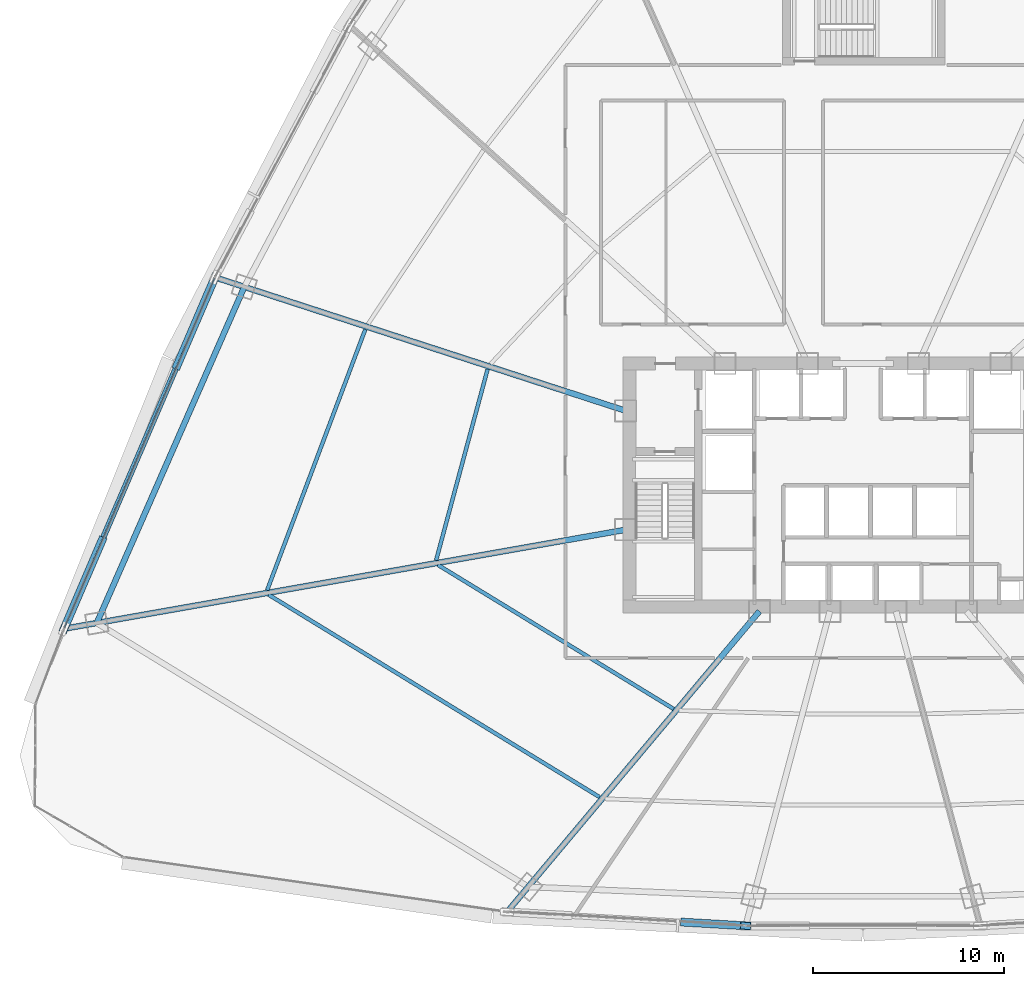
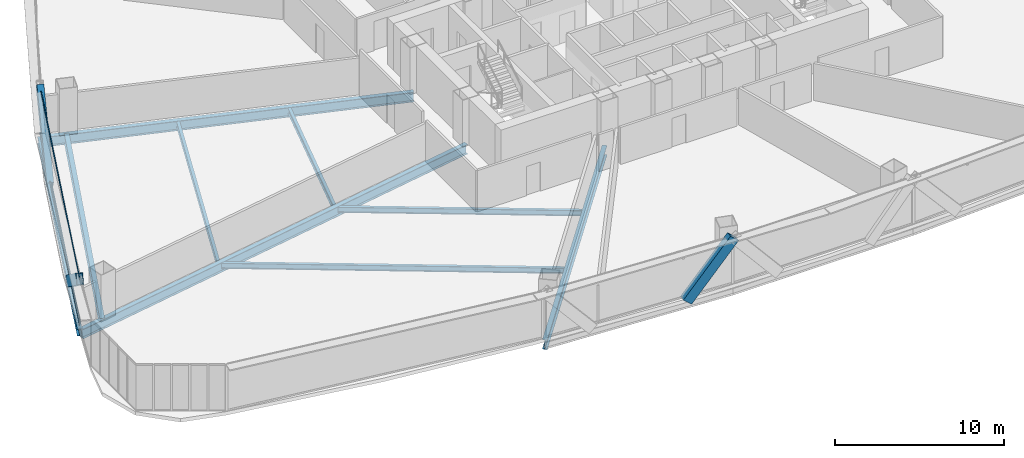
# One storey, part 7 of 42: 9 beams, 5 members, 1 element without a shape of its own.
"""IFC4 building model written with IfcOpenShell, lengths in metres."""

from ifc_helpers import new_model, si_unit, direction, frame, origin, origin_2d, place, context, subcontext, project, spatial, hollow_rectangle, i_section, extrude, source, transform, mapped, material, layer, layer_set, material_profile, profile_set, type_object, element, aggregate, save


model = new_model("IFC4")

# Units and contexts
model_context = context("Model", 3, precision=1e-05, world=origin(), true_north=direction((0.0, 1.0)))
body_context = subcontext(model_context, "Body", "Model", "MODEL_VIEW")
ifc_project = project(units=[si_unit("LENGTHUNIT", "METRE"), si_unit("AREAUNIT", "SQUARE_METRE"), si_unit("VOLUMEUNIT", "CUBIC_METRE"), si_unit("PLANEANGLEUNIT", "RADIAN"), si_unit("MASSUNIT", "GRAM", prefix="KILO"), si_unit("THERMODYNAMICTEMPERATUREUNIT", "KELVIN"), si_unit("POWERUNIT", "WATT")], contexts=[model_context])

# Site, building, storey
site_placement = place(None, origin())
site = spatial("IfcSite", under=ifc_project, at=site_placement, CompositionType="ELEMENT")
building_placement = place(site_placement, origin())
building = spatial("IfcBuilding", under=site, at=building_placement, Name="Yunzhuo Pagoda Commons", CompositionType="ELEMENT")
storey_placement = place(building_placement, frame((0.0, 0.0, 44.919921875)))
storey = spatial("IfcBuildingStorey", under=building, at=storey_placement, Name="L11", CompositionType="ELEMENT", Elevation=44.919921875)

# Beams
ifc_material_1 = material(Name="Structural steel Q355B", Category="steel")
ifc_material_profile_1 = material_profile(ifc_material_1, i_section(OverallWidth=0.300048828125, OverallDepth=0.699951171875, WebThickness=0.012939453125, FlangeThickness=0.02392578125, at=origin_2d()), Name="Structural steel Q355B")
ifc_profile_set_1 = profile_set([ifc_material_profile_1], Name="Structural steel Q355B")
beam_type_1 = type_object("IfcBeamType", Name="B-RG1 Beam HN 700x300x13x24", PredefinedType="BEAM", material=ifc_profile_set_1)
shared_shape_1 = source(origin(), body_context, "Body", "SweptSolid", [
    extrude(i_section(OverallWidth=0.300048828125, OverallDepth=0.699951171875, WebThickness=0.012939453125, FlangeThickness=0.02392578125, at=origin_2d()), origin(), (0.0, 0.0, 1.0), 19.18603515625),
])
beam_1_placement = place(storey_placement, frame((15.66455078125, 44.206298828125, -0.60986328125), z_axis=(-0.40196534204, -0.915654882474, 0.0), x_axis=(0.915654882474, -0.40196534204, 0.0)))
element("IfcBeam", 1, at=beam_1_placement, inside=storey, type_object=beam_type_1, Name="L11 column-ring beam 11", PredefinedType="BEAM", context=body_context, shape_type="MappedRepresentation", body=[
    mapped(shared_shape_1, transform((0.0, 0.0, 0.0), scale=1.0)),
])
ifc_material_profile_2 = material_profile(ifc_material_1, i_section(OverallWidth=0.199951171875, OverallDepth=0.39990234375, WebThickness=0.008056640625, FlangeThickness=0.012939453125, at=origin_2d()), Name="Structural steel Q355B")
ifc_profile_set_2 = profile_set([ifc_material_profile_2], Name="Structural steel Q355B")
beam_type_2 = type_object("IfcBeamType", Name="B-JS1 Joist HN 400x200x8x13", PredefinedType="JOIST", material=ifc_profile_set_2)
shared_shape_2 = source(origin(), body_context, "Body", "SweptSolid", [
    extrude(i_section(OverallWidth=0.199951171875, OverallDepth=0.39990234375, WebThickness=0.008056640625, FlangeThickness=0.012939453125, at=origin_2d()), origin(), (0.0, 0.0, 1.0), 14.4365234375),
])
beam_2_placement = place(storey_placement, frame((25.782470703125, 29.675537109375, -0.4599609375), z_axis=(0.85325633277, -0.521491735876, 0.0), x_axis=(0.521491735876, 0.85325633277, 0.0)))
element("IfcBeam", 2, at=beam_2_placement, inside=storey, type_object=beam_type_2, Name="L11 composite ring joist 1.12", PredefinedType="JOIST", context=body_context, shape_type="MappedRepresentation", body=[
    mapped(shared_shape_2, transform((0.0, 0.0, 0.0), scale=1.0)),
])
shared_shape_3 = source(origin(), body_context, "Body", "SweptSolid", [
    extrude(i_section(OverallWidth=0.199951171875, OverallDepth=0.39990234375, WebThickness=0.008056640625, FlangeThickness=0.012939453125, at=origin_2d()), origin(), (0.0, 0.0, 1.0), 20.275634765625),
])
beam_3_placement = place(storey_placement, frame((16.935302734375, 28.11572265625, -0.4599609375), z_axis=(0.853102898066, -0.521742700295, 0.0), x_axis=(0.521742700295, 0.853102898066, 0.0)))
element("IfcBeam", 3, at=beam_3_placement, inside=storey, type_object=beam_type_2, Name="L11 composite ring joist 2.12", PredefinedType="JOIST", context=body_context, shape_type="MappedRepresentation", body=[
    mapped(shared_shape_3, transform((0.0, 0.0, 0.0), scale=1.0)),
])
shared_shape_4 = source(origin(), body_context, "Body", "SweptSolid", [
    extrude(i_section(OverallWidth=0.199951171875, OverallDepth=0.39990234375, WebThickness=0.008056640625, FlangeThickness=0.012939453125, at=origin_2d()), origin(), (0.0, 0.0, 1.0), 10.351806640625),
])
beam_4_placement = place(storey_placement, frame((28.3818359375, 39.9072265625, -0.4599609375), z_axis=(-0.260208595802, -0.965552425646, 0.0), x_axis=(0.965552425646, -0.260208595802, 0.0)))
element("IfcBeam", 4, at=beam_4_placement, inside=storey, type_object=beam_type_2, Name="L11 composite ring joist 1.11", PredefinedType="JOIST", context=body_context, shape_type="MappedRepresentation", body=[
    mapped(shared_shape_4, transform((0.0, 0.0, 0.0), scale=1.0)),
])
shared_shape_5 = source(origin(), body_context, "Body", "SweptSolid", [
    extrude(i_section(OverallWidth=0.199951171875, OverallDepth=0.39990234375, WebThickness=0.008056640625, FlangeThickness=0.012939453125, at=origin_2d()), origin(), (0.0, 0.0, 1.0), 14.571044921875),
])
beam_5_placement = place(storey_placement, frame((21.98779296875, 41.98486328125, -0.4599609375), z_axis=(-0.352208383632, -0.935921607027, 0.0), x_axis=(0.935921607027, -0.352208383632, 0.0)))
element("IfcBeam", 5, at=beam_5_placement, inside=storey, type_object=beam_type_2, Name="L11 composite ring joist 2.11", PredefinedType="JOIST", context=body_context, shape_type="MappedRepresentation", body=[
    mapped(shared_shape_5, transform((0.0, 0.0, 0.0), scale=1.0)),
])
shared_shape_6 = source(origin(), body_context, "Body", "SweptSolid", [
    extrude(i_section(OverallWidth=0.300048828125, OverallDepth=0.699951171875, WebThickness=0.012939453125, FlangeThickness=0.02392578125, at=origin_2d()), origin(), (0.0, 0.0, 1.0), 20.3623046875),
])
beam_6_placement = place(storey_placement, frame((29.499267578125, 11.651611328125, -0.60986328125), z_axis=(0.642788211009, 0.766043938549, 0.0), x_axis=(-0.766043938549, 0.642788211009, 0.0)))
element("IfcBeam", 6, at=beam_6_placement, inside=storey, type_object=beam_type_1, Name="L11 radial floor girder F1C1", PredefinedType="BEAM", context=body_context, shape_type="MappedRepresentation", body=[
    mapped(shared_shape_6, transform((0.0, 0.0, 0.0), scale=1.0)),
])
shared_shape_7 = source(origin(), body_context, "Body", "SweptSolid", [
    extrude(i_section(OverallWidth=0.300048828125, OverallDepth=0.699951171875, WebThickness=0.012939453125, FlangeThickness=0.02392578125, at=origin_2d()), origin(), (0.0, 0.0, 1.0), 29.657470703125),
])
beam_7_placement = place(storey_placement, frame((6.39306640625, 26.363525390625, -0.60986328125), z_axis=(0.984808244815, 0.173645388492, 0.0), x_axis=(-0.173645388492, 0.984808244815, 0.0)))
element("IfcBeam", 7, at=beam_7_placement, inside=storey, type_object=beam_type_1, Name="L11 radial floor girder F3C4", PredefinedType="BEAM", context=body_context, shape_type="MappedRepresentation", body=[
    mapped(shared_shape_7, transform((0.0, 0.0, 0.0), scale=1.0)),
])
shared_shape_8 = source(origin(), body_context, "Body", "SweptSolid", [
    extrude(i_section(OverallWidth=0.300048828125, OverallDepth=0.699951171875, WebThickness=0.012939453125, FlangeThickness=0.02392578125, at=origin_2d()), origin(), (0.0, 0.0, 1.0), 22.421875),
])
beam_8_placement = place(storey_placement, frame((14.275634765625, 44.65771484375, -0.60986328125), z_axis=(0.951056871076, -0.309015902469, 0.0), x_axis=(0.309015902469, 0.951056871076, 0.0)))
element("IfcBeam", 8, at=beam_8_placement, inside=storey, type_object=beam_type_1, Name="L11 radial floor girder F3C3", PredefinedType="BEAM", context=body_context, shape_type="MappedRepresentation", body=[
    mapped(shared_shape_8, transform((0.0, 0.0, 0.0), scale=1.0)),
])
ifc_material_profile_3 = material_profile(ifc_material_1, i_section(OverallWidth=0.300048828125, OverallDepth=0.488037109375, WebThickness=0.010986328125, FlangeThickness=0.01806640625, at=origin_2d()), Name="Structural steel Q355B")
ifc_profile_set_3 = profile_set([ifc_material_profile_3], Name="Structural steel Q355B")
beam_type_3 = type_object("IfcBeamType", Name="B-SP1 Beam HM 488x300x11x18", PredefinedType="BEAM", material=ifc_profile_set_3)
shared_shape_9 = source(origin(), body_context, "Body", "SweptSolid", [
    extrude(i_section(OverallWidth=0.300048828125, OverallDepth=0.488037109375, WebThickness=0.010986328125, FlangeThickness=0.01806640625, at=origin_2d()), origin(), (0.0, 0.0, 1.0), 19.99072265625),
])
beam_9_placement = place(storey_placement, frame((14.12841796875, 44.70556640625, -0.50390625), z_axis=(-0.394566260797, -0.918867490904, 0.0), x_axis=(0.918867490904, -0.394566260797, 0.0)))
element("IfcBeam", 9, at=beam_9_placement, inside=storey, type_object=beam_type_3, Name="L11 facade edge spandrel beam F3.3", PredefinedType="BEAM", context=body_context, shape_type="MappedRepresentation", body=[
    mapped(shared_shape_9, transform((0.0, 0.0, 0.0), scale=1.0)),
])

# Members
ifc_material_2 = material(Name="Structural steel Q420B", Category="steel")
ifc_material_profile_4 = material_profile(ifc_material_2, hollow_rectangle(XDim=0.419921875, YDim=0.719970703125, WallThickness=0.028076171875, at=origin_2d()), Name="Structural steel Q420B")
ifc_profile_set_4 = profile_set([ifc_material_profile_4], Name="Structural steel Q420B")
member_type_1 = type_object("IfcMemberType", Name="M-DL1 Brace BOX 720x420x28", PredefinedType="BRACE", material=ifc_profile_set_4)
shared_shape_10 = source(origin(), body_context, "Body", "SweptSolid", [
    extrude(hollow_rectangle(XDim=0.419921875, YDim=0.719970703125, WallThickness=0.028076171875, at=origin_2d()), origin(), (0.0, 0.0, 1.0), 4.787841796875),
])
member_1_placement = place(storey_placement, frame((38.750244140625, 10.99169921875, -0.260009765625), z_axis=(0.650950433086, -0.037682310046, 0.758184395233), x_axis=(0.057791390819, 0.99832868092, 0.0)))
element("IfcMember", 10, at=member_1_placement, inside=storey, type_object=member_type_1, Name="L11 facade diamond brace F1.1R", PredefinedType="BRACE", context=body_context, shape_type="MappedRepresentation", body=[
    mapped(shared_shape_10, transform((0.0, 0.0, 0.0), scale=1.0)),
])
shared_shape_11 = source(origin(), body_context, "Body", "SweptSolid", [
    extrude(hollow_rectangle(XDim=0.419921875, YDim=0.719970703125, WallThickness=0.028076171875, at=origin_2d()), origin(), (0.0, 0.0, 1.0), 6.177001953125),
])
for number, where, z_axis, x_axis, name in (
    (11, (12.15625, 40.11328125, -0.260009765625), (0.319271742419, 0.743439152625, 0.587676595448), (-0.918851680961, 0.394603077023, 0.0), "L11 facade diamond brace F3.3L"),
    (12, (8.21240234375, 30.928955078125, -0.260009765625), (-0.319200750142, -0.743457913591, 0.587691425688), (0.918887102207, -0.394520586785, 0.0), "L11 facade diamond brace F3.3R"),
):
    element("IfcMember", number, at=place(storey_placement, frame(where, z_axis=z_axis, x_axis=x_axis)), inside=storey, type_object=member_type_1, Name=name, PredefinedType="BRACE", context=body_context, shape_type="MappedRepresentation", body=[
        mapped(shared_shape_11, transform((0.0, 0.0, 0.0), scale=1.0)),
    ])

# Curtain wall, members
ifc_material_3 = material(Name="Anodized aluminium 6063-T6", Category="aluminium")
ifc_layer = layer(ifc_material_3, 0.1650390625)
ifc_layer_set = layer_set([ifc_layer], Name="Anodized aluminium 6063-T6")
curtain_wall_type = type_object("IfcCurtainWallType", Name="CW-LOW Low-Zone Ribbon Curtain Wall", PredefinedType="NOTDEFINED", material=ifc_layer_set)
curtain_wall_placement = place(storey_placement, origin())
curtain_wall = element("IfcCurtainWall", 13, at=curtain_wall_placement, inside=storey, type_object=curtain_wall_type, Name="L11 curtain wall CW-L11-F3B4", PredefinedType="NOTDEFINED")
ifc_material_profile_5 = material_profile(ifc_material_3, hollow_rectangle(XDim=0.06005859375, YDim=0.139892578125, WallThickness=0.00341796875, at=origin_2d()), Name="Anodized aluminium 6063-T6")
ifc_profile_set_5 = profile_set([ifc_material_profile_5], Name="Anodized aluminium 6063-T6")
member_type_2 = type_object("IfcMemberType", Name="CW-LOW-T Transom RHS 140x60x3.5", PredefinedType="USERDEFINED", material=ifc_profile_set_5)
shared_shape_12 = source(origin(), body_context, "Body", "SweptSolid", [
    extrude(hollow_rectangle(XDim=0.06005859375, YDim=0.139892578125, WallThickness=0.00341796875, at=origin_2d()), origin(), (0.0, 0.0, 1.0), 19.860595703125),
])
member_2_placement = place(storey_placement, frame((14.1025390625, 44.645751953125, 0.030029296875), z_axis=(-0.39457049988, -0.918865670611, 0.0), x_axis=(0.918865670611, -0.39457049988, 0.0)))
member_2 = element("IfcMember", 14, at=member_2_placement, type_object=member_type_2, Name="CW transom 1.1", ObjectType="TRANSOM", PredefinedType="USERDEFINED", context=body_context, shape_type="MappedRepresentation", body=[
    mapped(shared_shape_12, transform((0.0, 0.0, 0.0), scale=1.0)),
])
member_3_placement = place(storey_placement, frame((14.1025390625, 44.645751953125, 3.340087890625), z_axis=(-0.39457049988, -0.918865670611, 0.0), x_axis=(0.918865670611, -0.39457049988, 0.0)))
member_3 = element("IfcMember", 15, at=member_3_placement, type_object=member_type_2, Name="CW transom 1.2", ObjectType="TRANSOM", PredefinedType="USERDEFINED", context=body_context, shape_type="MappedRepresentation", body=[
    mapped(shared_shape_12, transform((0.0, 0.0, 0.0), scale=1.0)),
])
aggregate(curtain_wall, [member_2, member_3])

save(model, "model.ifc")
